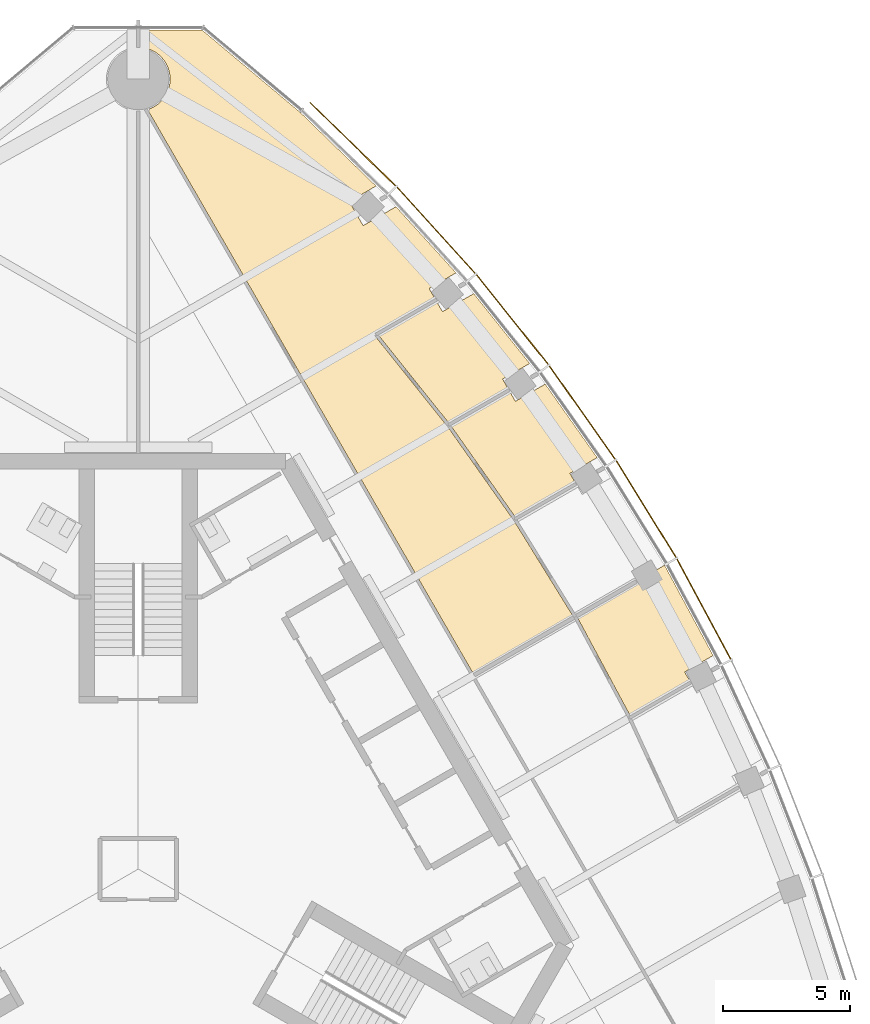
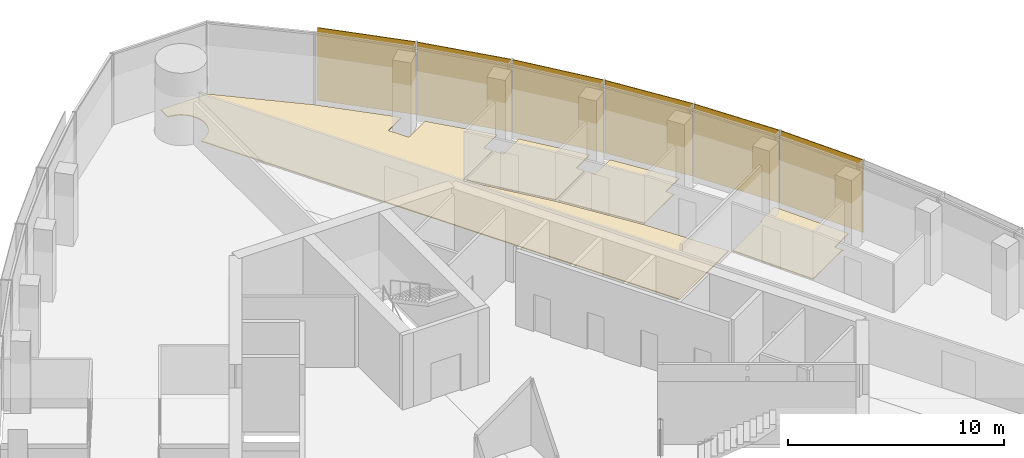
# One storey, part 14 of 16: 6 shading devices, 4 coverings.
"""IFC4 building model written with IfcOpenShell, lengths in metres."""

from ifc_helpers import new_model, si_unit, direction, frame, origin, origin_2d, place, context, subcontext, project, spatial, polyline, rectangle, outline, extrude, material, layer, layer_set, type_object, element, save


model = new_model("IFC4")

# Units and contexts
model_context = context("Model", 3, precision=1e-05, world=origin(), true_north=direction((0.0, 1.0)))
body_context = subcontext(model_context, "Body", "Model", "MODEL_VIEW")
ifc_project = project(units=[si_unit("LENGTHUNIT", "METRE"), si_unit("AREAUNIT", "SQUARE_METRE"), si_unit("VOLUMEUNIT", "CUBIC_METRE"), si_unit("PLANEANGLEUNIT", "RADIAN"), si_unit("MASSUNIT", "GRAM", prefix="KILO")], contexts=[model_context])

# Site, building, storey
site_placement = place(None, origin())
site = spatial("IfcSite", under=ifc_project, at=site_placement, CompositionType="ELEMENT")
building_placement = place(site_placement, origin())
building = spatial("IfcBuilding", under=site, at=building_placement, Name="Trefoil Bronze Tower", CompositionType="ELEMENT")
storey_placement = place(building_placement, frame((0.0, 0.0, 301.5)))
storey = spatial("IfcBuildingStorey", under=building, at=storey_placement, Name="L69", CompositionType="ELEMENT", Elevation=301.5)

# Shading devices
ifc_material_1 = material(Name="Perforated bronze sheet", Category="bronze")
ifc_layer_1 = layer(ifc_material_1, 0.0400390625)
ifc_layer_set_1 = layer_set([ifc_layer_1], Name="Bronze solar screen panel")
shading_device_type = type_object("IfcShadingDeviceType", Name="Bronze solar screen panel", PredefinedType="SHUTTER", material=ifc_layer_set_1)
for number, where, z_axis, x_axis, name in (
    (1, (22.19775390625, 10.198974609375, 0.050048828125), (0.0, 0.0, 1.0), (-0.473562437085, 0.880760250115, 0.0), "Solar screen CW-A L69 F2 bay 5"),
    (2, (19.931396484375, 14.124267578125, 0.050048828125), (0.0, 0.0, 1.0), (-0.525979532701, 0.850497225851, 0.0), "Solar screen CW-A L69 F2 bay 6"),
):
    element("IfcShadingDevice", number, at=place(storey_placement, frame(where, z_axis=z_axis, x_axis=x_axis)), inside=storey, type_object=shading_device_type, Name=name, PredefinedType="SHUTTER", context=body_context, shape_type="SweptSolid", body=[
        extrude(rectangle(XDim=4.47216796875, YDim=0.0400390625, at=origin_2d()), origin(), (0.0, 0.0, 1.0), 4.10009765625),
    ])
shading_device_1_placement = place(storey_placement, frame((17.4267578125, 17.912109375, 0.050048828125), z_axis=(0.0, 0.0, 1.0), x_axis=(-0.576560967783, 0.817054129437, 0.0)))
element("IfcShadingDevice", 3, at=shading_device_1_placement, inside=storey, type_object=shading_device_type, Name="Solar screen CW-A L69 F2 bay 7", PredefinedType="SHUTTER", context=body_context, shape_type="SweptSolid", body=[
    extrude(rectangle(XDim=4.48876953125, YDim=0.0400390625, at=origin_2d()), origin(), (0.0, 0.0, 1.0), 4.10009765625),
])
shading_device_2_placement = place(storey_placement, frame((14.680908203125, 21.560791015625, 0.050048828125), z_axis=(0.0, 0.0, 1.0), x_axis=(-0.625286758829, 0.780395072533, 0.0)))
element("IfcShadingDevice", 4, at=shading_device_2_placement, inside=storey, type_object=shading_device_type, Name="Solar screen CW-A L69 F2 bay 8", PredefinedType="SHUTTER", context=body_context, shape_type="SweptSolid", body=[
    extrude(rectangle(XDim=4.5224609375, YDim=0.0400390625, at=origin_2d()), origin(), (0.0, 0.0, 1.0), 4.10009765625),
])
shading_device_3_placement = place(storey_placement, frame((11.688720703125, 25.067138671875, 0.050048828125), z_axis=(0.0, 0.0, 1.0), x_axis=(-0.672115274615, 0.74044652584, 0.0)))
element("IfcShadingDevice", 5, at=shading_device_3_placement, inside=storey, type_object=shading_device_type, Name="Solar screen CW-A L69 F2 bay 9", PredefinedType="SHUTTER", context=body_context, shape_type="SweptSolid", body=[
    extrude(rectangle(XDim=4.574462890625, YDim=0.0400390625, at=origin_2d()), origin(), (0.0, 0.0, 1.0), 4.10009765625),
])
shading_device_4_placement = place(storey_placement, frame((8.42236328125, 28.443359375, 0.050048828125), z_axis=(0.0, 0.0, 1.0), x_axis=(-0.71721818561, 0.696848673839, 0.0)))
element("IfcShadingDevice", 6, at=shading_device_4_placement, inside=storey, type_object=shading_device_type, Name="Solar screen CW-A L69 F2 bay 10", PredefinedType="SHUTTER", context=body_context, shape_type="SweptSolid", body=[
    extrude(rectangle(XDim=4.697509765625, YDim=0.0400390625, at=origin_2d()), origin(), (0.0, 0.0, 1.0), 4.10009765625),
])

# Coverings
ifc_material_2 = material(Name="Raised access floor panels", Category="steel")
ifc_layer_2 = layer(ifc_material_2, 0.050048828125)
ifc_layer_set_2 = layer_set([ifc_layer_2], Name="Raised access floor 150")
covering_type = type_object("IfcCoveringType", Name="Raised access floor 150", PredefinedType="FLOORING", material=ifc_layer_set_2)
covering_1_placement = place(storey_placement, frame((0.0, 0.0, 0.10009765625)))
element("IfcCovering", 7, at=covering_1_placement, inside=storey, type_object=covering_type, Name="Raised floor L69 Office F2", PredefinedType="FLOORING", context=body_context, shape_type="SweptSolid", body=[
    extrude(outline(polyline([(12.18994140625, 17.49951171875), (9.41943359375, 20.95751953125), (11.706787109375, 22.278076171875), (11.939453125, 21.875), (13.168701171875, 22.584716796875), (15.364990234375, 19.84326171875), (14.298583984375, 19.227783203125), (14.519775390625, 18.844482421875), (12.18994140625, 17.49951171875)])), origin(), (0.0, 0.0, 1.0), 0.0498046875),
])
covering_2_placement = place(storey_placement, frame((0.0, 0.0, 0.10009765625)))
element("IfcCovering", 8, at=covering_2_placement, inside=storey, type_object=covering_type, Name="Raised floor L69 Office F2", PredefinedType="FLOORING", context=body_context, shape_type="SweptSolid", body=[
    extrude(outline(polyline([(18.01171875, 16.146484375), (16.941650390625, 15.52880859375), (17.180419921875, 15.115234375), (17.177490234375, 15.113525390625), (17.147705078125, 15.16552734375), (14.798095703125, 13.80908203125), (12.26220703125, 17.402587890625), (14.579833984375, 18.74072265625), (14.801025390625, 18.357666015625), (15.9736328125, 19.03466796875), (18.01171875, 16.146484375)])), origin(), (0.0, 0.0, 1.0), 0.0498046875),
])
covering_3_placement = place(storey_placement, frame((0.0, 0.0, 0.10009765625)))
element("IfcCovering", 9, at=covering_3_placement, inside=storey, type_object=covering_type, Name="Raised floor L69 Meeting room F2", PredefinedType="FLOORING", context=body_context, shape_type="SweptSolid", body=[
    extrude(outline(polyline([(20.656005859375, 11.92578125), (22.56201171875, 8.38134765625), (21.441650390625, 7.734619140625), (21.680419921875, 7.321044921875), (21.677490234375, 7.3193359375), (21.647705078125, 7.371337890625), (19.30419921875, 6.018310546875), (17.236083984375, 9.86474609375), (19.585205078125, 11.220703125), (19.547607421875, 11.285888671875), (20.656005859375, 11.92578125)])), origin(), (0.0, 0.0, 1.0), 0.0498046875),
])
covering_4_placement = place(storey_placement, frame((0.0, 0.0, 0.10009765625)))
element("IfcCovering", 10, at=covering_4_placement, inside=storey, type_object=covering_type, Name="Raised floor L69 Open-plan office F2", PredefinedType="FLOORING", context=body_context, shape_type="SweptSolid", body=[
    extrude(outline(polyline([(0.01220703125, 32.249755859375), (0.01220703125, 32.927490234375), (2.508056640625, 32.927490234375), (6.350830078125, 29.703125), (9.333740234375, 26.804931640625), (8.2802734375, 26.19677734375), (8.8271484375, 25.24951171875), (10.11767578125, 25.994384765625), (12.474853515625, 23.397705078125), (11.4140625, 22.784912109375), (11.646728515625, 22.3818359375), (9.298828125, 21.0263671875), (9.328857421875, 20.974609375), (9.281982421875, 20.93701171875), (12.12744140625, 17.3857421875), (14.730712890625, 13.69677734375), (17.05712890625, 9.9345703125), (13.143310546875, 7.675048828125), (0.36669921875, 29.80517578125), (0.421142578125, 29.822998046875), (0.478515625, 29.84521484375), (0.534423828125, 29.8701171875), (0.589111328125, 29.897705078125), (0.642578125, 29.927734375), (0.694580078125, 29.960693359375), (0.74462890625, 29.99609375), (0.79296875, 30.03369140625), (0.83935546875, 30.07373046875), (0.8837890625, 30.1162109375), (0.92626953125, 30.16064453125), (0.96630859375, 30.20703125), (1.00390625, 30.25537109375), (1.039306640625, 30.305419921875), (1.072265625, 30.357421875), (1.102294921875, 30.410888671875), (1.1298828125, 30.465576171875), (1.15478515625, 30.521484375), (1.177001953125, 30.578857421875), (1.1962890625, 30.63720703125), (1.21240234375, 30.6962890625), (1.22607421875, 30.756103515625), (1.236572265625, 30.816650390625), (1.243896484375, 30.87744140625), (1.24853515625, 30.938720703125), (1.25, 31.0), (1.24853515625, 31.061279296875), (1.243896484375, 31.12255859375), (1.236572265625, 31.183349609375), (1.22607421875, 31.243896484375), (1.21240234375, 31.3037109375), (1.1962890625, 31.36279296875), (1.177001953125, 31.421142578125), (1.15478515625, 31.478515625), (1.1298828125, 31.534423828125), (1.102294921875, 31.589111328125), (1.072265625, 31.642578125), (1.039306640625, 31.694580078125), (1.00390625, 31.74462890625), (0.96630859375, 31.79296875), (0.92626953125, 31.83935546875), (0.8837890625, 31.8837890625), (0.83935546875, 31.92626953125), (0.79296875, 31.96630859375), (0.74462890625, 32.00390625), (0.694580078125, 32.039306640625), (0.642578125, 32.072265625), (0.589111328125, 32.102294921875), (0.534423828125, 32.1298828125), (0.478515625, 32.15478515625), (0.421142578125, 32.177001953125), (0.36279296875, 32.1962890625), (0.3037109375, 32.21240234375), (0.243896484375, 32.22607421875), (0.183349609375, 32.236572265625), (0.12255859375, 32.243896484375), (0.061279296875, 32.24853515625), (0.01220703125, 32.249755859375)])), origin(), (0.0, 0.0, 1.0), 0.0498046875),
])

save(model, "model.ifc")
